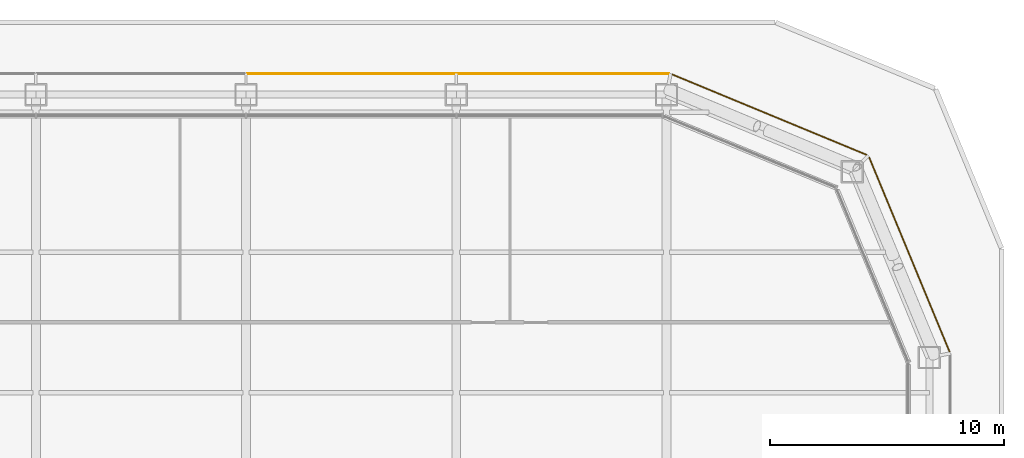
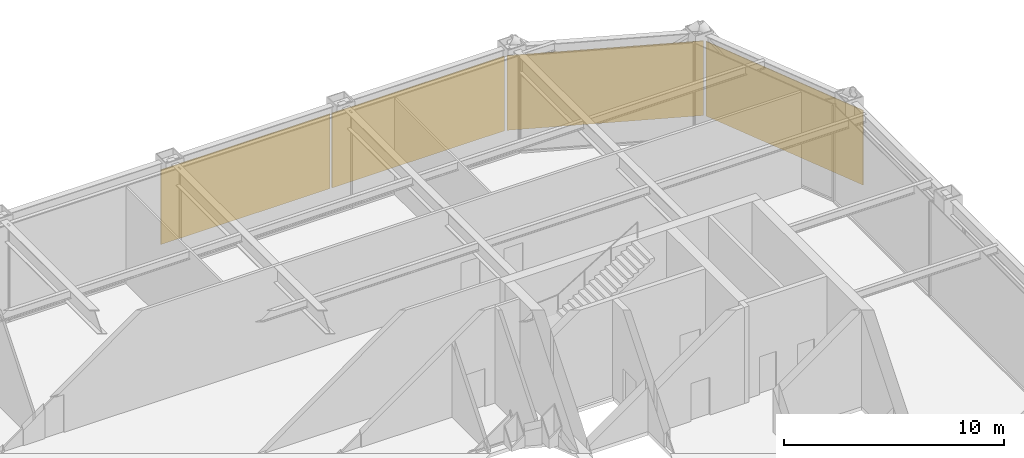
# One storey, part 21 of 21: 4 coverings.
"""IFC4 building model written with IfcOpenShell, lengths in metres."""

from ifc_helpers import new_model, si_unit, direction, frame, origin, origin_2d, place, context, subcontext, project, spatial, rectangle, extrude, material, layer, layer_set, type_object, element, save


model = new_model("IFC4")

# Units and contexts
model_context = context("Model", 3, precision=1e-05, world=origin(), true_north=direction((0.0, 1.0)))
body_context = subcontext(model_context, "Body", "Model", "MODEL_VIEW")
ifc_project = project(units=[si_unit("LENGTHUNIT", "METRE"), si_unit("AREAUNIT", "SQUARE_METRE"), si_unit("VOLUMEUNIT", "CUBIC_METRE"), si_unit("PLANEANGLEUNIT", "RADIAN"), si_unit("MASSUNIT", "GRAM", prefix="KILO")], contexts=[model_context])

# Site, building, storey
site_placement = place(None, origin())
site = spatial("IfcSite", under=ifc_project, at=site_placement, CompositionType="ELEMENT")
building_placement = place(site_placement, origin())
building = spatial("IfcBuilding", under=site, at=building_placement, Name="Siwar Civic Tower", CompositionType="ELEMENT")
storey_placement = place(building_placement, frame((0.0, 0.0, 99.199951171875)))
storey = spatial("IfcBuildingStorey", under=building, at=storey_placement, Name="L21", CompositionType="ELEMENT", Elevation=99.199951171875)

# Coverings
ifc_material = material(Name="Perforated aluminium cassette, pale metal", Category="aluminium")
ifc_layer = layer(ifc_material, 0.0400390625)
ifc_layer_set = layer_set([ifc_layer], Name="Perforated aluminium cassette, pale metal")
covering_type = type_object("IfcCoveringType", Name="ENV-OUTER SKIN OS-1", PredefinedType="CLADDING", material=ifc_layer_set)
for number, where, z_axis, x_axis, name in (
    (1, (28.39697265625, 22.411376953125, 0.0), (0.0, 0.0, 1.0), (-0.382683432365, 0.923879532511, 0.0), "OUTER SKIN OS-1 NE1 1"),
    (2, (22.411376953125, 28.39697265625, 0.0), (0.0, 0.0, 1.0), (-0.923879532511, 0.382683432365, 0.0), "OUTER SKIN OS-1 NE2 1"),
):
    element("IfcCovering", number, at=place(storey_placement, frame(where, z_axis=z_axis, x_axis=x_axis)), inside=storey, type_object=covering_type, Name=name, PredefinedType="CLADDING", context=body_context, shape_type="SweptSolid", body=[
        extrude(rectangle(XDim=9.022216796875, YDim=0.0400390625, at=origin_2d()), origin(), (0.0, 0.0, 1.0), 4.14990234375),
    ])
covering_1_placement = place(storey_placement, frame((13.57958984375, 30.14990234375, 0.0), z_axis=(0.0, 0.0, 1.0), x_axis=(-1.0, 0.0, 0.0)))
element("IfcCovering", 3, at=covering_1_placement, inside=storey, type_object=covering_type, Name="OUTER SKIN OS-1 N 1", PredefinedType="CLADDING", context=body_context, shape_type="SweptSolid", body=[
    extrude(rectangle(XDim=9.05908203125, YDim=0.0400390625, at=origin_2d()), origin(), (0.0, 0.0, 1.0), 4.14990234375),
])
covering_2_placement = place(storey_placement, frame((4.5, 30.14990234375, 0.0), z_axis=(0.0, 0.0, 1.0), x_axis=(-1.0, 0.0, 0.0)))
element("IfcCovering", 4, at=covering_2_placement, inside=storey, type_object=covering_type, Name="OUTER SKIN OS-1 N 2", PredefinedType="CLADDING", context=body_context, shape_type="SweptSolid", body=[
    extrude(rectangle(XDim=8.89990234375, YDim=0.0400390625, at=origin_2d()), origin(), (0.0, 0.0, 1.0), 4.14990234375),
])

save(model, "model.ifc")
